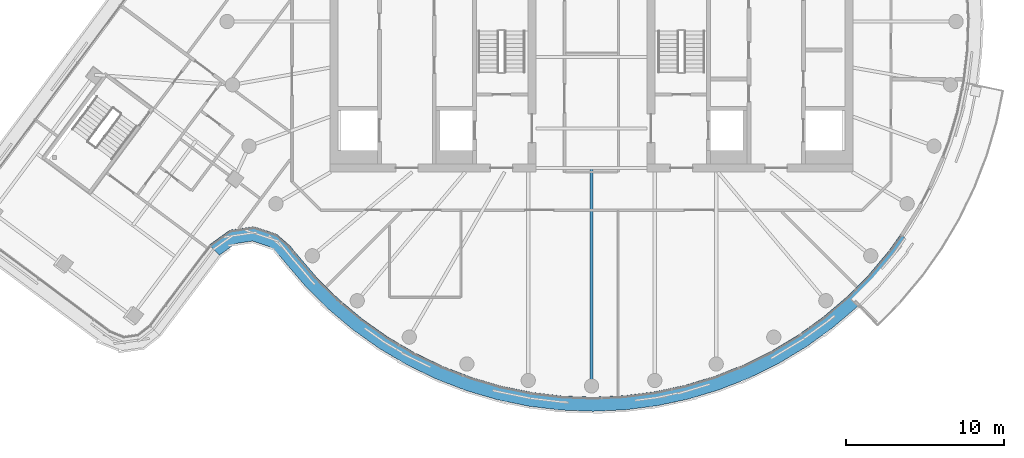
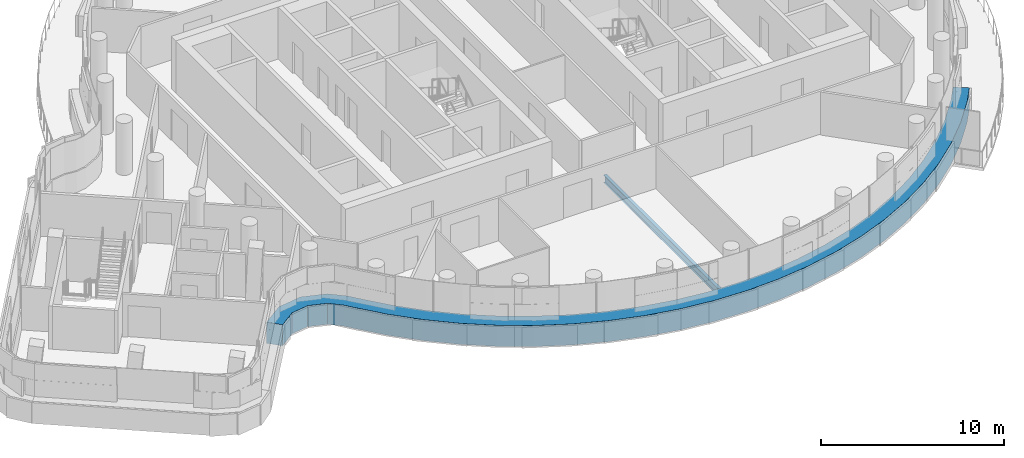
# One storey, part 7 of 27: 1 beam, 1 member, 1 element without a shape of its own.
"""IFC4 building model written with IfcOpenShell, lengths in metres."""

from ifc_helpers import new_model, si_unit, direction, frame, origin, origin_2d, place, context, subcontext, project, spatial, polyline, i_section, outline, extrude, material, layer, layer_set, material_profile, profile_set, type_object, element, aggregate, save


model = new_model("IFC4")

# Units and contexts
model_context = context("Model", 3, precision=1e-05, world=origin(), true_north=direction((0.0, 1.0)))
body_context = subcontext(model_context, "Body", "Model", "MODEL_VIEW")
ifc_project = project(units=[si_unit("LENGTHUNIT", "METRE"), si_unit("AREAUNIT", "SQUARE_METRE"), si_unit("VOLUMEUNIT", "CUBIC_METRE"), si_unit("PLANEANGLEUNIT", "RADIAN"), si_unit("MASSUNIT", "GRAM", prefix="KILO")], contexts=[model_context])

# Site, building, storey
site_placement = place(None, origin())
site = spatial("IfcSite", under=ifc_project, at=site_placement, CompositionType="ELEMENT")
building_placement = place(site_placement, origin())
building = spatial("IfcBuilding", under=site, at=building_placement, Name="Tamarind Cross Interchange Tower", CompositionType="ELEMENT")
storey_placement = place(building_placement, frame((0.0, 0.0, 227.10009765625)))
storey = spatial("IfcBuildingStorey", under=building, at=storey_placement, Name="L57", CompositionType="ELEMENT", Elevation=227.10009765625)

# Beam
ifc_material_1 = material(Name="Steel Q355B", Category="steel")
ifc_material_profile = material_profile(ifc_material_1, i_section(OverallWidth=0.198974609375, OverallDepth=0.49609375, WebThickness=0.009033203125, FlangeThickness=0.013916015625, FilletRadius=0.012939453125, at=origin_2d()), Name="HN 496x199x9x14")
ifc_profile_set = profile_set([ifc_material_profile], Name="Steel Q355B")
beam_type = type_object("IfcBeamType", Name="Composite beam HN 496x199x9x14 Q355B", PredefinedType="BEAM", material=ifc_profile_set)
beam_placement = place(storey_placement, frame((0.0, -23.0, -0.38818359375), z_axis=(0.0, 1.0, 0.0), x_axis=(-1.0, 0.0, 0.0)))
element("IfcBeam", 1, at=beam_placement, inside=storey, type_object=beam_type, Name="Beam HH27", PredefinedType="BEAM", context=body_context, shape_type="SweptSolid", body=[
    extrude(i_section(OverallWidth=0.198974609375, OverallDepth=0.49609375, WebThickness=0.009033203125, FlangeThickness=0.013916015625, FilletRadius=0.012939453125, at=origin_2d()), origin(), (0.0, 0.0, 1.0), 13.75),
])

# Curtain wall, member
ifc_material_2 = material(Name="Aluminium 6063-T6", Category="aluminium")
ifc_layer = layer(ifc_material_2, 0.139892578125)
ifc_layer_set = layer_set([ifc_layer], Name="Aluminium 6063-T6")
curtain_wall_type = type_object("IfcCurtainWallType", Name="Hotel curtain wall, 4.5 m bays", PredefinedType="NOTDEFINED", material=ifc_layer_set)
curtain_wall_placement = place(storey_placement, origin())
curtain_wall = element("IfcCurtainWall", 2, at=curtain_wall_placement, inside=storey, type_object=curtain_wall_type, Name="CWS-L57-02", PredefinedType="NOTDEFINED")
ifc_material_3 = material(Name="Aluminium and insulated spandrel panel", Category="aluminium")
member_type = type_object("IfcMemberType", Name="Floor-edge blade transom", PredefinedType="USERDEFINED", material=ifc_material_3)
member_placement = place(storey_placement, origin())
member = element("IfcMember", 3, at=member_placement, type_object=member_type, Name="CWT-L57-02-0", ObjectType="TRANSOM", PredefinedType="USERDEFINED", context=body_context, shape_type="SweptSolid", body=[
    extrude(outline(polyline([(-24.121826171875, -14.098388671875), (-22.812255859375, -13.156982421875), (-21.307861328125, -12.9345703125), (-19.87841796875, -13.413330078125), (-19.02587890625, -14.154541015625), (-18.64208984375, -14.6279296875), (-17.3642578125, -16.12353515625), (-15.973388671875, -17.50244140625), (-14.4736328125, -18.76171875), (-12.874755859375, -19.892822265625), (-11.188232421875, -20.88818359375), (-9.425048828125, -21.74072265625), (-7.597412109375, -22.444580078125), (-5.718017578125, -22.995361328125), (-3.799560546875, -23.38916015625), (-1.855224609375, -23.623046875), (0.10205078125, -23.695556640625), (2.058349609375, -23.606201171875), (4.000732421875, -23.35546875), (5.915771484375, -22.9453125), (7.790283203125, -22.37841796875), (9.61181640625, -21.65869140625), (11.367431640625, -20.791015625), (13.045654296875, -19.78125), (14.634521484375, -18.636474609375), (16.12353515625, -17.3642578125), (17.50244140625, -15.973388671875), (18.76171875, -14.4736328125), (19.489013671875, -13.4453125), (20.22998046875, -13.95654296875), (19.474853515625, -15.023681640625), (18.167724609375, -16.580810546875), (16.736572265625, -18.0244140625), (15.19091796875, -19.344970703125), (13.54150390625, -20.533203125), (11.799560546875, -21.581298828125), (9.97705078125, -22.482177734375), (8.08642578125, -23.229248046875), (6.140625, -23.817626953125), (4.15283203125, -24.243408203125), (2.13671875, -24.50341796875), (0.10595703125, -24.59619140625), (-1.925537109375, -24.52099609375), (-3.944091796875, -24.2783203125), (-5.935302734375, -23.86962890625), (-7.88623046875, -23.2978515625), (-9.783203125, -22.567138671875), (-11.613525390625, -21.68212890625), (-13.3642578125, -20.64892578125), (-15.023681640625, -19.474853515625), (-16.580810546875, -18.167724609375), (-18.0244140625, -16.736572265625), (-19.333740234375, -15.203857421875), (-19.675537109375, -14.7822265625), (-20.333740234375, -14.2099609375), (-21.389404296875, -13.856201171875), (-22.46435546875, -14.015380859375), (-23.4853515625, -14.749267578125), (-24.121826171875, -14.098388671875)])), origin(), (0.0, 0.0, 1.0), 1.39990234375),
])
aggregate(curtain_wall, [member])

save(model, "model.ifc")
